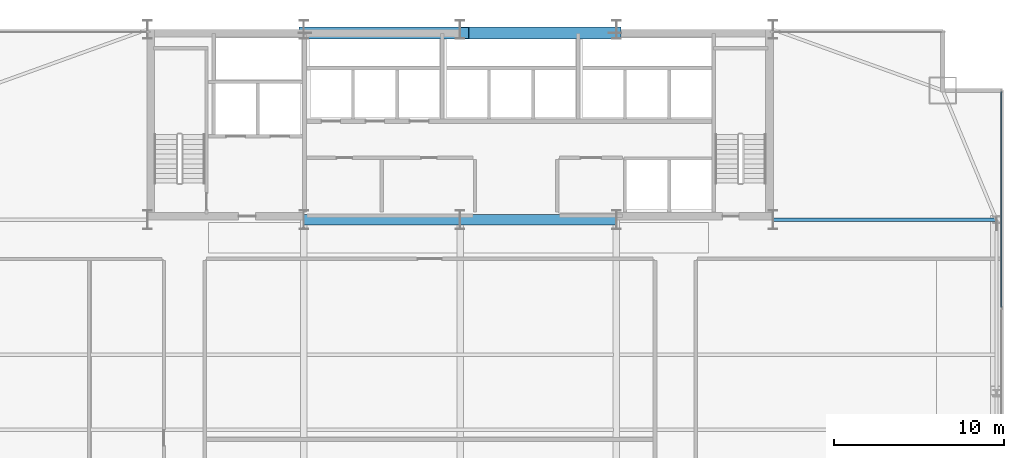
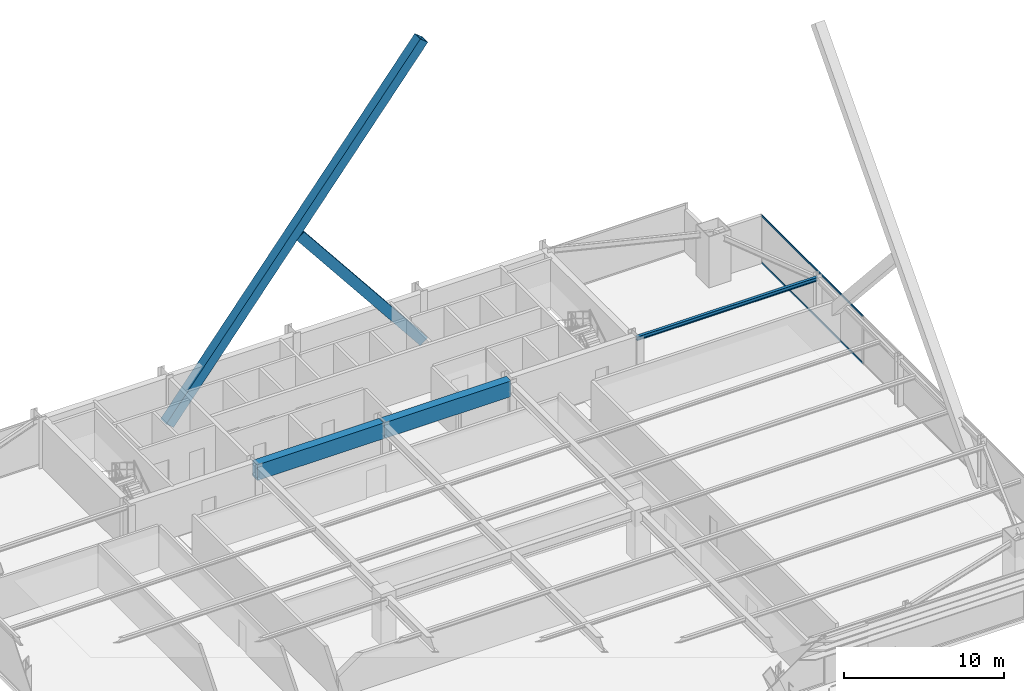
# One storey, part 22 of 32: 4 members, 3 beams, 1 element without a shape of its own.
"""IFC4 building model written with IfcOpenShell, lengths in metres."""

from ifc_helpers import new_model, si_unit, direction, frame, origin, origin_2d, place, context, subcontext, project, spatial, rectangle, hollow_rectangle, i_section, extrude, source, transform, mapped, material, layer, layer_set, material_profile, profile_set, type_object, type_shapes, element, aggregate, save


model = new_model("IFC4")

# Units and contexts
model_context = context("Model", 3, precision=1e-05, world=origin(), true_north=direction((0.0, 1.0)))
body_context = subcontext(model_context, "Body", "Model", "MODEL_VIEW")
ifc_project = project(units=[si_unit("LENGTHUNIT", "METRE"), si_unit("AREAUNIT", "SQUARE_METRE"), si_unit("VOLUMEUNIT", "CUBIC_METRE"), si_unit("PLANEANGLEUNIT", "RADIAN"), si_unit("MASSUNIT", "GRAM", prefix="KILO")], contexts=[model_context])

# Site, building, storey
site_placement = place(None, origin())
site = spatial("IfcSite", under=ifc_project, at=site_placement, CompositionType="ELEMENT")
building_placement = place(site_placement, origin())
building = spatial("IfcBuilding", under=site, at=building_placement, Name="Varnel Quay Broadcast Tower", CompositionType="ELEMENT")
storey_placement = place(building_placement, frame((0.0, 0.0, 58.800048828125)))
storey = spatial("IfcBuildingStorey", under=building, at=storey_placement, Name="L13", CompositionType="ELEMENT", Elevation=58.800048828125)

# Beams
ifc_material_1 = material(Name="Concrete CSA A23.3 C60/75", Category="concrete")
ifc_material_profile_1 = material_profile(ifc_material_1, rectangle(XDim=0.60009765625, YDim=1.199951171875, at=origin_2d()), Name="RC600X1200")
ifc_profile_set_1 = profile_set([ifc_material_profile_1], Name="Concrete CSA A23.3 C60/75")
beam_type_1 = type_object("IfcBeamType", Name="Beam_RC600X1200", PredefinedType="BEAM", material=ifc_profile_set_1)
shared_shape_1 = source(origin(), body_context, "Body", "SweptSolid", [
    extrude(rectangle(XDim=0.60009765625, YDim=1.199951171875, at=origin_2d()), origin(), (0.0, 0.0, 1.0), 9.159912109375),
])
type_shapes(beam_type_1, [shared_shape_1])
for number, where, z_axis, x_axis, name in (
    (1, (24.820068359375, 35.60009765625, 3.050048828125), (1.0, 0.0, 0.0), (0.0, 1.0, 0.0), "L13 Core Coupling Beam W"),
    (2, (34.02001953125, 35.60009765625, 3.050048828125), (1.0, 0.0, 0.0), (0.0, 1.0, 0.0), "L13 Core Coupling Beam E"),
):
    element("IfcBeam", number, at=place(storey_placement, frame(where, z_axis=z_axis, x_axis=x_axis)), inside=storey, type_object=beam_type_1, Name=name, PredefinedType="BEAM", context=body_context, shape_type="MappedRepresentation", body=[
        mapped(shared_shape_1, transform((0.0, 0.0, 0.0), x_axis=(1.0, 0.0, 0.0), y_axis=(0.0, 1.0, 0.0), z_axis=(0.0, 0.0, 1.0), scale=1.0)),
    ])
ifc_material_2 = material(Name="Structural Steel CSA G40.21 350W", Category="steel")
ifc_material_profile_2 = material_profile(ifc_material_2, i_section(OverallWidth=0.202880859375, OverallDepth=0.302978515625, WebThickness=0.007568359375, FlangeThickness=0.01318359375, FilletRadius=0.011962890625, at=origin_2d()), Name="W310X60")
ifc_profile_set_2 = profile_set([ifc_material_profile_2], Name="Structural Steel CSA G40.21 350W")
beam_type_2 = type_object("IfcBeamType", Name="Beam_W310X60", PredefinedType="JOIST", material=ifc_profile_set_2)
shared_shape_2 = source(origin(), body_context, "Body", "SweptSolid", [
    extrude(i_section(OverallWidth=0.202880859375, OverallDepth=0.302978515625, WebThickness=0.007568359375, FlangeThickness=0.01318359375, FilletRadius=0.011962890625, at=origin_2d()), origin(), (0.0, 0.0, 1.0), 13.110107421875),
])
type_shapes(beam_type_2, [shared_shape_2])
beam_placement = place(storey_placement, frame((52.419921875, 35.60009765625, 3.49853515625), z_axis=(1.0, 0.0, 0.0), x_axis=(0.0, 1.0, 0.0)))
element("IfcBeam", 3, at=beam_placement, inside=storey, type_object=beam_type_2, Name="L13 East Core Tie Joist", PredefinedType="JOIST", context=body_context, shape_type="MappedRepresentation", body=[
    mapped(shared_shape_2, transform((0.0, 0.0, 0.0), x_axis=(1.0, 0.0, 0.0), y_axis=(0.0, 1.0, 0.0), z_axis=(0.0, 0.0, 1.0), scale=1.0)),
])

# Members
ifc_material_3 = material(Name="Structural Steel CSA G40.21 350WT", Category="steel")
ifc_material_profile_3 = material_profile(ifc_material_3, hollow_rectangle(XDim=0.699951171875, YDim=0.699951171875, WallThickness=0.031982421875, at=origin_2d()), Name="BOX700X700X32")
ifc_profile_set_3 = profile_set([ifc_material_profile_3], Name="Structural Steel CSA G40.21 350WT")
member_type_1 = type_object("IfcMemberType", Name="Brace_BOX700X700X32", PredefinedType="BRACE", material=ifc_profile_set_3)
shared_shape_3 = source(origin(), body_context, "Body", "SweptSolid", [
    extrude(hollow_rectangle(XDim=0.699951171875, YDim=0.699951171875, WallThickness=0.031982421875, at=origin_2d()), origin(), (0.0, 0.0, 1.0), 29.485595703125),
])
member_1_placement = place(storey_placement, frame((24.800048828125, 46.580078125, 0.02001953125), z_axis=(0.624030401991, 0.0, 0.781400062318), x_axis=(0.0, 1.0, 0.0)))
element("IfcMember", 4, at=member_1_placement, inside=storey, type_object=member_type_1, Name="Zone 1 Mega-Brace N-CT3 Continuous Diag A", PredefinedType="BRACE", context=body_context, shape_type="MappedRepresentation", body=[
    mapped(shared_shape_3, transform((0.0, 0.0, 0.0), x_axis=(1.0, 0.0, 0.0), y_axis=(0.0, 1.0, 0.0), z_axis=(0.0, 0.0, 1.0), scale=1.0)),
])
shared_shape_4 = source(origin(), body_context, "Body", "SweptSolid", [
    extrude(hollow_rectangle(XDim=0.699951171875, YDim=0.699951171875, WallThickness=0.031982421875, at=origin_2d()), origin(), (0.0, 0.0, 1.0), 14.35888671875),
])
type_shapes(member_type_1, [shared_shape_3, shared_shape_4])
member_2_placement = place(storey_placement, frame((43.199951171875, 46.580078125, 0.02001953125), z_axis=(-0.624035449353, 0.0, 0.78139603144), x_axis=(0.0, -1.0, 0.0)))
element("IfcMember", 5, at=member_2_placement, inside=storey, type_object=member_type_1, Name="Zone 1 Mega-Brace N-CT3 Split Diag B1", PredefinedType="BRACE", context=body_context, shape_type="MappedRepresentation", body=[
    mapped(shared_shape_4, transform((0.0, 0.0, 0.0), x_axis=(1.0, 0.0, 0.0), y_axis=(0.0, 1.0, 0.0), z_axis=(0.0, 0.0, 1.0), scale=1.0)),
])

# Curtain wall, members
ifc_material_4 = material(Name="Anodised Bronze Aluminium 6063-T6", Category="aluminium")
ifc_layer = layer(ifc_material_4, 0.18994140625, Name="Anodised Bronze Aluminium 6063-T6")
ifc_layer_set = layer_set([ifc_layer], Name="Anodised Bronze Aluminium 6063-T6")
curtain_wall_type = type_object("IfcCurtainWallType", Name="CW_LowerTower", PredefinedType="NOTDEFINED", material=ifc_layer_set)
curtain_wall_placement = place(storey_placement, origin())
curtain_wall = element("IfcCurtainWall", 6, at=curtain_wall_placement, inside=storey, type_object=curtain_wall_type, Name="L13 East Unitised Curtain Wall", PredefinedType="NOTDEFINED")
ifc_material_profile_4 = material_profile(ifc_material_4, hollow_rectangle(XDim=0.06005859375, YDim=0.14501953125, WallThickness=0.00341796875, at=origin_2d()), Name="ALU60X145X3.5")
ifc_profile_set_4 = profile_set([ifc_material_profile_4], Name="Anodised Bronze Aluminium 6063-T6")
member_type_2 = type_object("IfcMemberType", Name="Tran_CWS-02", PredefinedType="USERDEFINED", material=ifc_profile_set_4)
shared_shape_5 = source(origin(), body_context, "Body", "SweptSolid", [
    extrude(hollow_rectangle(XDim=0.06005859375, YDim=0.14501953125, WallThickness=0.00341796875, at=origin_2d()), origin(), (0.0, 0.0, 1.0), 12.69482421875),
])
type_shapes(member_type_2, [shared_shape_5])
member_3_placement = place(storey_placement, frame((65.85009765625, 30.43505859375, 0.030029296875), z_axis=(0.0, 1.0, 0.0), x_axis=(-1.0, 0.0, 0.0)))
member_3 = element("IfcMember", 7, at=member_3_placement, type_object=member_type_2, Name="CWS-02 transom 3.1", ObjectType="TRANSOM", PredefinedType="USERDEFINED", context=body_context, shape_type="MappedRepresentation", body=[
    mapped(shared_shape_5, transform((0.0, 0.0, 0.0), x_axis=(1.0, 0.0, 0.0), y_axis=(0.0, 1.0, 0.0), z_axis=(0.0, 0.0, 1.0), scale=1.0)),
])
member_4_placement = place(storey_placement, frame((65.85009765625, 30.43505859375, 3.619873046875), z_axis=(0.0, 1.0, 0.0), x_axis=(-1.0, 0.0, 0.0)))
member_4 = element("IfcMember", 8, at=member_4_placement, type_object=member_type_2, Name="CWS-02 transom 3.2", ObjectType="TRANSOM", PredefinedType="USERDEFINED", context=body_context, shape_type="MappedRepresentation", body=[
    mapped(shared_shape_5, transform((0.0, 0.0, 0.0), x_axis=(1.0, 0.0, 0.0), y_axis=(0.0, 1.0, 0.0), z_axis=(0.0, 0.0, 1.0), scale=1.0)),
])
aggregate(curtain_wall, [member_3, member_4])

save(model, "model.ifc")
